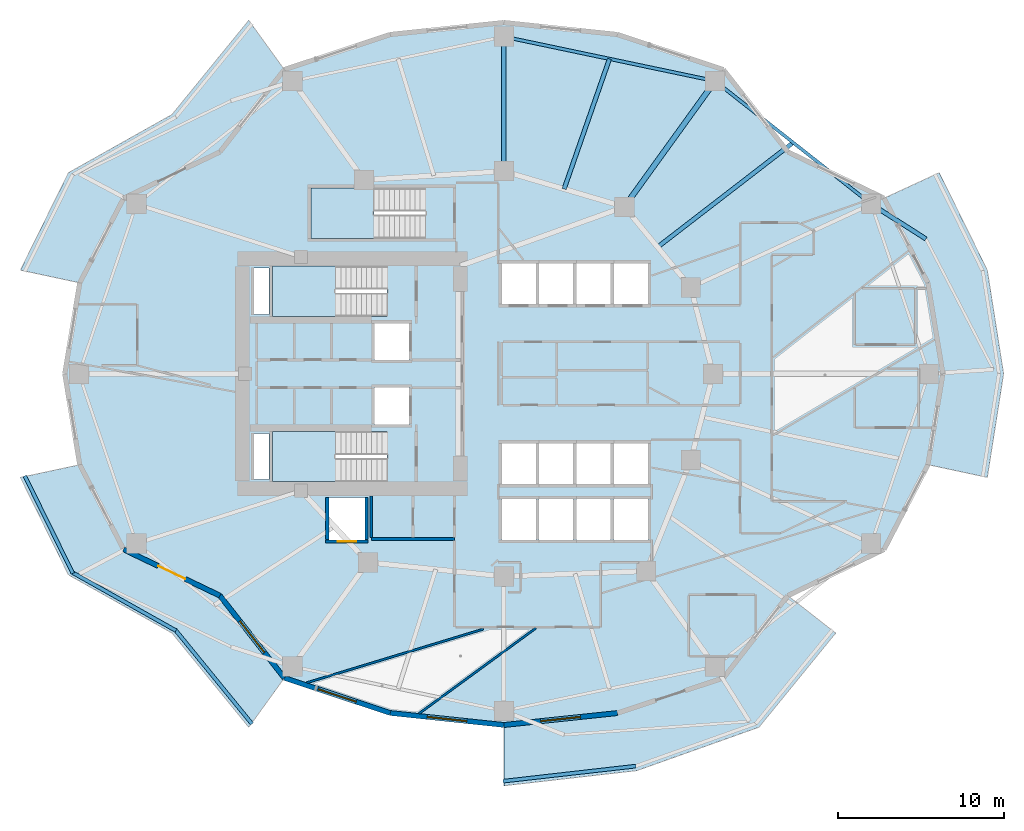
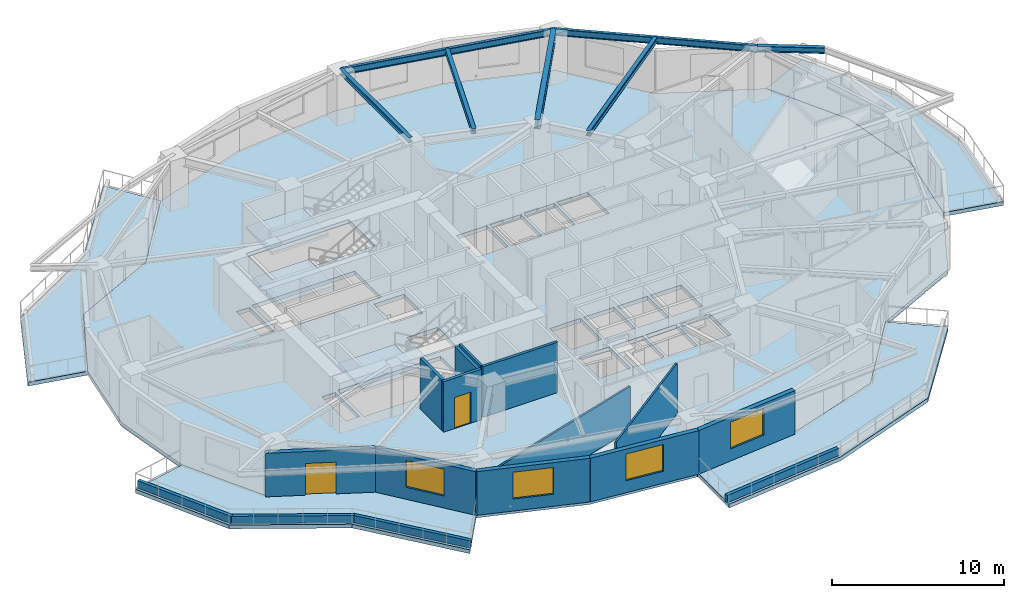
# One storey, part 2 of 15: 16 walls, 8 slabs, 7 beams, 4 windows, 2 doors, 6 openings, 3 elements without a shape of their own.
"""IFC4 building model written with IfcOpenShell, lengths in metres."""

from ifc_helpers import new_model, si_unit, direction, frame, frame_2d, origin, origin_2d, place, context, subcontext, project, spatial, polyline, rectangle, i_section, outline, extrude, material, layer, layer_set, material_profile, profile_set, type_object, element, fill, aggregate, save


model = new_model("IFC4")

# Units and contexts
model_context = context("Model", 3, precision=1e-05, world=origin(), true_north=direction((0.0, 1.0)))
body_context = subcontext(model_context, "Body", "Model", "MODEL_VIEW")
ifc_project = project(units=[si_unit("LENGTHUNIT", "METRE"), si_unit("AREAUNIT", "SQUARE_METRE"), si_unit("VOLUMEUNIT", "CUBIC_METRE"), si_unit("PLANEANGLEUNIT", "RADIAN"), si_unit("MASSUNIT", "GRAM", prefix="KILO")], contexts=[model_context])

# Site, building, storey
site_placement = place(None, origin())
site = spatial("IfcSite", under=ifc_project, at=site_placement, CompositionType="ELEMENT")
building_placement = place(site_placement, origin())
building = spatial("IfcBuilding", under=site, at=building_placement, Name="Kolvaren Gate Tower and Convention Centre", CompositionType="ELEMENT")
storey_placement = place(building_placement, frame((0.0, 0.0, 72.699951171875)))
storey = spatial("IfcBuildingStorey", under=building, at=storey_placement, Name="L17", CompositionType="ELEMENT", Elevation=72.699951171875)

# Beams
ifc_material_1 = material(Name="Structural steel ASTM A992 Grade 345 MPa", Category="steel")
ifc_material_profile_1 = material_profile(ifc_material_1, i_section(OverallWidth=0.260009765625, OverallDepth=0.419921875, WebThickness=0.013427734375, FlangeThickness=0.0224609375, at=origin_2d()), Name="W410X132")
ifc_profile_set_1 = profile_set([ifc_material_profile_1], Name="Structural steel ASTM A992 Grade 345 MPa")
beam_type_1 = type_object("IfcBeamType", Name="STR-BM-W410X132", PredefinedType="BEAM", material=ifc_profile_set_1)
beam_1_placement = place(storey_placement, frame((52.248779296875, 37.218505859375, 3.360595703125), z_axis=(0.843548050681, -0.537053708853, 0.0), x_axis=(0.537053708853, 0.843548050681, 0.0)))
element("IfcBeam", 1, at=beam_1_placement, inside=storey, type_object=beam_type_1, Name="Tower L18 Planted Balcony Outrigger Cantilever BC-4B", PredefinedType="BEAM", context=body_context, shape_type="SweptSolid", body=[
    extrude(i_section(OverallWidth=0.260009765625, OverallDepth=0.419921875, WebThickness=0.013427734375, FlangeThickness=0.0224609375, at=origin_2d()), origin(), (0.0, 0.0, 1.0), 3.89990234375),
])
ifc_material_profile_2 = material_profile(ifc_material_1, i_section(OverallWidth=0.327880859375, OverallDepth=0.6279296875, WebThickness=0.0166015625, FlangeThickness=0.027587890625, at=origin_2d()), Name="W610X217")
ifc_profile_set_2 = profile_set([ifc_material_profile_2], Name="Structural steel ASTM A992 Grade 345 MPa")
beam_type_2 = type_object("IfcBeamType", Name="STR-BM-W610X217", PredefinedType="BEAM", material=ifc_profile_set_2)
beam_2_placement = place(storey_placement, frame((37.381591796875, 37.054931640625, 3.256103515625), z_axis=(0.585207971848, 0.810883240477, 0.0), x_axis=(-0.810883240477, 0.585207971848, 0.0)))
element("IfcBeam", 2, at=beam_2_placement, inside=storey, type_object=beam_type_2, Name="Tower L17 Radial Floor Girder RB-03", PredefinedType="BEAM", context=body_context, shape_type="SweptSolid", body=[
    extrude(i_section(OverallWidth=0.327880859375, OverallDepth=0.6279296875, WebThickness=0.0166015625, FlangeThickness=0.027587890625, at=origin_2d()), origin(), (0.0, 0.0, 1.0), 9.33837890625),
])
ifc_material_profile_3 = material_profile(ifc_material_1, i_section(OverallWidth=0.2548828125, OverallDepth=0.35693359375, WebThickness=0.010498046875, FlangeThickness=0.018310546875, at=origin_2d()), Name="W360X101")
ifc_profile_set_3 = profile_set([ifc_material_profile_3], Name="Structural steel ASTM A992 Grade 345 MPa")
beam_type_3 = type_object("IfcBeamType", Name="STR-JS-W360X101", PredefinedType="JOIST", material=ifc_profile_set_3)
beam_3_placement = place(storey_placement, frame((30.125, 39.199951171875, 3.3916015625), z_axis=(0.0, 1.0, 0.0), x_axis=(-1.0, 0.0, 0.0)))
element("IfcBeam", 3, at=beam_3_placement, inside=storey, type_object=beam_type_3, Name="Tower L17 Radial Floor Girder RB-04", PredefinedType="JOIST", context=body_context, shape_type="SweptSolid", body=[
    extrude(i_section(OverallWidth=0.2548828125, OverallDepth=0.35693359375, WebThickness=0.010498046875, FlangeThickness=0.018310546875, at=origin_2d()), origin(), (0.0, 0.0, 1.0), 8.10009765625),
])
beam_4_placement = place(storey_placement, frame((39.3818359375, 34.627197265625, 3.3916015625), z_axis=(0.791953664744, 0.610581192716, 0.0), x_axis=(-0.610581192716, 0.791953664744, 0.0)))
element("IfcBeam", 4, at=beam_4_placement, inside=storey, type_object=beam_type_3, Name="Tower L17 Secondary Composite Floor Joist J-02.1", PredefinedType="JOIST", context=body_context, shape_type="SweptSolid", body=[
    extrude(i_section(OverallWidth=0.2548828125, OverallDepth=0.35693359375, WebThickness=0.010498046875, FlangeThickness=0.018310546875, at=origin_2d()), origin(), (0.0, 0.0, 1.0), 10.31103515625),
])
beam_5_placement = place(storey_placement, frame((33.75341796875, 38.12744140625, 3.3916015625), z_axis=(0.329233693857, 0.944248470917, 0.0), x_axis=(-0.944248470917, 0.329233693857, 0.0)))
element("IfcBeam", 5, at=beam_5_placement, inside=storey, type_object=beam_type_3, Name="Tower L17 Secondary Composite Floor Joist J-03.1", PredefinedType="JOIST", context=body_context, shape_type="SweptSolid", body=[
    extrude(i_section(OverallWidth=0.2548828125, OverallDepth=0.35693359375, WebThickness=0.010498046875, FlangeThickness=0.018310546875, at=origin_2d()), origin(), (0.0, 0.0, 1.0), 8.298583984375),
])
ifc_material_profile_4 = material_profile(ifc_material_1, i_section(OverallWidth=0.194091796875, OverallDepth=0.468994140625, WebThickness=0.0126953125, FlangeThickness=0.0205078125, at=origin_2d()), Name="W460X106")
ifc_profile_set_4 = profile_set([ifc_material_profile_4], Name="Structural steel ASTM A992 Grade 345 MPa")
beam_type_4 = type_object("IfcBeamType", Name="STR-SP-W460X106", PredefinedType="SPANDREL", material=ifc_profile_set_4)
beam_6_placement = place(storey_placement, frame((52.248779296875, 37.218505859375, 3.33544921875), z_axis=(-0.785459824636, 0.618912646407, 0.0), x_axis=(-0.618912646407, -0.785459824636, 0.0)))
element("IfcBeam", 6, at=beam_6_placement, inside=storey, type_object=beam_type_4, Name="Tower L17 Perimeter Spandrel Beam SP-02", PredefinedType="SPANDREL", context=body_context, shape_type="SweptSolid", body=[
    extrude(i_section(OverallWidth=0.194091796875, OverallDepth=0.468994140625, WebThickness=0.0126953125, FlangeThickness=0.0205078125, at=origin_2d()), origin(), (0.0, 0.0, 1.0), 11.970458984375),
])
beam_7_placement = place(storey_placement, frame((42.846435546875, 44.627197265625, 3.33544921875), z_axis=(-0.978632602148, 0.205616706552, 0.0), x_axis=(-0.205616706552, -0.978632602148, 0.0)))
element("IfcBeam", 7, at=beam_7_placement, inside=storey, type_object=beam_type_4, Name="Tower L17 Perimeter Spandrel Beam SP-03", PredefinedType="SPANDREL", context=body_context, shape_type="SweptSolid", body=[
    extrude(i_section(OverallWidth=0.194091796875, OverallDepth=0.468994140625, WebThickness=0.0126953125, FlangeThickness=0.0205078125, at=origin_2d()), origin(), (0.0, 0.0, 1.0), 12.999267578125),
])

# Slabs
ifc_material_2 = material(Name="Concrete C50/60", Category="concrete")
ifc_layer_1 = layer(ifc_material_2, 0.27001953125)
ifc_layer_set_1 = layer_set([ifc_layer_1], Name="Concrete C50/60")
slab_type_1 = type_object("IfcSlabType", Name="STR-SL-BALC-270", PredefinedType="FLOOR", material=ifc_layer_set_1)
slab_1_placement = place(storey_placement, frame((0.0, 0.0, -0.27001953125)))
element("IfcSlab", 8, at=slab_1_placement, inside=storey, type_object=slab_type_1, Name="Tower L17 Planted Balcony Terrace Slab 1 (West)", PredefinedType="FLOOR", context=body_context, shape_type="SweptSolid", body=[
    extrude(outline(polyline([(16.90625, 45.31640625), (13.026123046875, 40.360107421875), (7.2294921875, 37.574951171875), (4.58837890625, 32.47412109375), (1.009521484375, 33.2412109375), (3.90673828125, 39.109619140625), (10.14208984375, 42.613525390625), (14.764404296875, 48.2841796875), (16.90625, 45.31640625)])), origin(), (0.0, 0.0, 1.0), 0.27001953125),
])
slab_2_placement = place(storey_placement, frame((0.0, 0.0, -0.27001953125)))
element("IfcSlab", 9, at=slab_2_placement, inside=storey, type_object=slab_type_1, Name="Tower L17 Planted Balcony Terrace Slab 2 (West)", PredefinedType="FLOOR", context=body_context, shape_type="SweptSolid", body=[
    extrude(outline(polyline([(4.58837890625, 21.52587890625), (7.2294921875, 16.425048828125), (13.026123046875, 13.639892578125), (16.90625, 8.68359375), (14.764404296875, 5.7158203125), (10.14208984375, 11.386474609375), (3.90673828125, 14.890380859375), (1.009521484375, 20.7587890625), (4.58837890625, 21.52587890625)])), origin(), (0.0, 0.0, 1.0), 0.27001953125),
])
slab_3_placement = place(storey_placement, frame((0.0, 0.0, -0.27001953125)))
element("IfcSlab", 10, at=slab_3_placement, inside=storey, type_object=slab_type_1, Name="Tower L17 Planted Balcony Terrace Slab 3 (South)", PredefinedType="FLOOR", context=body_context, shape_type="SweptSolid", body=[
    extrude(outline(polyline([(30.125, 5.85009765625), (36.967529296875, 6.57080078125), (43.34375, 8.68359375), (47.223876953125, 13.639892578125), (50.10791015625, 11.386474609375), (45.485595703125, 5.7158203125), (38.1298828125, 3.10009765625), (30.125, 2.18994140625), (30.125, 5.85009765625)])), origin(), (0.0, 0.0, 1.0), 0.27001953125),
])
slab_4_placement = place(storey_placement, frame((0.0, 0.0, -0.27001953125)))
element("IfcSlab", 11, at=slab_4_placement, inside=storey, type_object=slab_type_1, Name="Tower L17 Planted Balcony Terrace Slab 4 (East)", PredefinedType="FLOOR", context=body_context, shape_type="SweptSolid", body=[
    extrude(outline(polyline([(55.66162109375, 21.52587890625), (56.5625, 27.0), (55.66162109375, 32.47412109375), (53.0205078125, 37.574951171875), (56.34326171875, 39.109619140625), (59.240478515625, 33.2412109375), (60.222412109375, 27.0), (59.240478515625, 20.7587890625), (55.66162109375, 21.52587890625)])), origin(), (0.0, 0.0, 1.0), 0.27001953125),
])
ifc_layer_2 = layer(ifc_material_2, 0.280029296875)
ifc_layer_set_2 = layer_set([ifc_layer_2], Name="Concrete C50/60")
slab_type_2 = type_object("IfcSlabType", Name="STR-SL-FLR-280", PredefinedType="FLOOR", material=ifc_layer_set_2)
slab_5_placement = place(storey_placement, frame((0.0, 0.0, -0.280029296875)))
element("IfcSlab", 12, at=slab_5_placement, inside=storey, type_object=slab_type_2, Name="Tower L17 Structural Floor Slab", PredefinedType="FLOOR", context=body_context, shape_type="SweptSolid", body=[
    extrude(outline(polyline([(56.5625, 27.0), (55.66162109375, 32.47412109375), (53.0205078125, 37.574951171875), (47.223876953125, 40.360107421875), (43.34375, 45.31640625), (36.967529296875, 47.42919921875), (30.125, 48.14990234375), (23.282470703125, 47.42919921875), (16.90625, 45.31640625), (13.026123046875, 40.360107421875), (7.2294921875, 37.574951171875), (4.58837890625, 32.47412109375), (3.6875, 27.0), (4.58837890625, 21.52587890625), (7.2294921875, 16.425048828125), (13.026123046875, 13.639892578125), (16.90625, 8.68359375), (23.282470703125, 6.57080078125), (30.125, 5.85009765625), (36.967529296875, 6.57080078125), (43.34375, 8.68359375), (47.223876953125, 13.639892578125), (53.0205078125, 16.425048828125), (55.66162109375, 21.52587890625), (56.5625, 27.0)]), holes=[polyline([(36.75, 33.64990234375), (38.800048828125, 33.64990234375), (38.800048828125, 31.199951171875), (36.75, 31.199951171875), (36.75, 33.64990234375)]), polyline([(36.75, 20.35009765625), (36.75, 22.800048828125), (38.800048828125, 22.800048828125), (38.800048828125, 20.35009765625), (36.75, 20.35009765625)]), polyline([(36.75, 17.0), (36.75, 19.449951171875), (38.800048828125, 19.449951171875), (38.800048828125, 17.0), (36.75, 17.0)]), polyline([(34.5, 33.64990234375), (36.550048828125, 33.64990234375), (36.550048828125, 31.199951171875), (34.5, 31.199951171875), (34.5, 33.64990234375)]), polyline([(34.5, 22.800048828125), (36.550048828125, 22.800048828125), (36.550048828125, 20.35009765625), (34.5, 20.35009765625), (34.5, 22.800048828125)]), polyline([(34.5, 17.0), (34.5, 19.449951171875), (36.550048828125, 19.449951171875), (36.550048828125, 17.0), (34.5, 17.0)]), polyline([(32.25, 31.199951171875), (32.25, 33.64990234375), (34.300048828125, 33.64990234375), (34.300048828125, 31.199951171875), (32.25, 31.199951171875)]), polyline([(32.25, 22.800048828125), (34.300048828125, 22.800048828125), (34.300048828125, 20.35009765625), (32.25, 20.35009765625), (32.25, 22.800048828125)]), polyline([(32.25, 17.0), (32.25, 19.449951171875), (34.300048828125, 19.449951171875), (34.300048828125, 17.0), (32.25, 17.0)]), polyline([(30.0, 31.199951171875), (30.0, 33.64990234375), (32.050048828125, 33.64990234375), (32.050048828125, 31.199951171875), (30.0, 31.199951171875)]), polyline([(30.0, 20.35009765625), (30.0, 22.800048828125), (32.050048828125, 22.800048828125), (32.050048828125, 20.35009765625), (30.0, 20.35009765625)]), polyline([(30.0, 17.0), (30.0, 19.449951171875), (32.050048828125, 19.449951171875), (32.050048828125, 17.0), (30.0, 17.0)]), polyline([(25.39990234375, 35.159912109375), (18.5, 35.159912109375), (18.5, 38.199951171875), (25.39990234375, 38.199951171875), (25.39990234375, 35.159912109375)]), polyline([(22.35009765625, 27.840087890625), (22.35009765625, 30.0400390625), (24.39990234375, 30.0400390625), (24.39990234375, 27.840087890625), (22.35009765625, 27.840087890625)]), polyline([(22.35009765625, 23.9599609375), (22.35009765625, 26.159912109375), (24.39990234375, 26.159912109375), (24.39990234375, 23.9599609375), (22.35009765625, 23.9599609375)]), polyline([(23.10009765625, 30.4599609375), (16.199951171875, 30.4599609375), (16.199951171875, 33.5), (23.10009765625, 33.5), (23.10009765625, 30.4599609375)]), polyline([(23.10009765625, 20.5), (16.199951171875, 20.5), (16.199951171875, 23.5400390625), (23.10009765625, 23.5400390625), (23.10009765625, 20.5)]), polyline([(19.60009765625, 17.0), (19.60009765625, 19.550048828125), (21.75, 19.550048828125), (21.75, 17.0), (19.60009765625, 17.0)]), polyline([(15.080078125, 23.419921875), (15.969970703125, 23.419921875), (15.969970703125, 20.6298828125), (15.080078125, 20.6298828125), (15.080078125, 23.419921875)]), polyline([(15.080078125, 30.580078125), (15.080078125, 33.3701171875), (15.969970703125, 33.3701171875), (15.969970703125, 30.580078125), (15.080078125, 30.580078125)])]), origin(), (0.0, 0.0, 1.0), 0.280029296875),
])

# Stair, slab
stair_type = type_object("IfcStairType", Name="STR-STAIR-CORE", PredefinedType="HALF_TURN_STAIR", material=ifc_material_2)
stair_1_placement = place(storey_placement, origin())
stair_1 = element("IfcStair", 13, at=stair_1_placement, inside=storey, type_object=stair_type, Name="L17 Tower North Exit Stair ST-T1", PredefinedType="HALF_TURN_STAIR")
ifc_layer_3 = layer(ifc_material_2, 0.199951171875)
ifc_layer_set_3 = layer_set([ifc_layer_3], Name="Concrete C50/60")
slab_type_3 = type_object("IfcSlabType", Name="STR-SL-LAND-200", PredefinedType="LANDING", material=ifc_layer_set_3)
slab_6_placement = place(storey_placement, frame((0.0, 0.0, 1.72509765625)))
slab_6 = element("IfcSlab", 14, at=slab_6_placement, type_object=slab_type_3, Name="ST-T1 landing 1", PredefinedType="LANDING", context=body_context, shape_type="SweptSolid", body=[
    extrude(outline(polyline([(20.0, 33.5), (16.199951171875, 33.5), (16.199951171875, 30.4599609375), (20.0, 30.4599609375), (20.0, 33.5)])), origin(), (0.0, 0.0, 1.0), 0.199951171875),
])
aggregate(stair_1, [slab_6])

stair_2_placement = place(storey_placement, origin())
stair_2 = element("IfcStair", 15, at=stair_2_placement, inside=storey, type_object=stair_type, Name="L17 Tower South Exit Stair ST-T2", PredefinedType="HALF_TURN_STAIR")
slab_7_placement = place(storey_placement, frame((0.0, 0.0, 1.72509765625)))
slab_7 = element("IfcSlab", 16, at=slab_7_placement, type_object=slab_type_3, Name="ST-T2 landing 1", PredefinedType="LANDING", context=body_context, shape_type="SweptSolid", body=[
    extrude(outline(polyline([(20.0, 23.5400390625), (16.199951171875, 23.5400390625), (16.199951171875, 20.5), (20.0, 20.5), (20.0, 23.5400390625)])), origin(), (0.0, 0.0, 1.0), 0.199951171875),
])
aggregate(stair_2, [slab_7])

stair_3_placement = place(storey_placement, origin())
stair_3 = element("IfcStair", 17, at=stair_3_placement, inside=storey, type_object=stair_type, Name="L17 Tower Mid-Zone Exit Stair ST-T3", PredefinedType="HALF_TURN_STAIR")
slab_8_placement = place(storey_placement, frame((0.0, 0.0, 1.72509765625)))
slab_8 = element("IfcSlab", 18, at=slab_8_placement, type_object=slab_type_3, Name="ST-T3 landing 1", PredefinedType="LANDING", context=body_context, shape_type="SweptSolid", body=[
    extrude(outline(polyline([(22.300048828125, 38.199951171875), (18.5, 38.199951171875), (18.5, 35.159912109375), (22.300048828125, 35.159912109375), (22.300048828125, 38.199951171875)])), origin(), (0.0, 0.0, 1.0), 0.199951171875),
])
aggregate(stair_3, [slab_8])

# Walls
ifc_material_3 = material(Name="Autoclaved Aerated Masonry Blockwork Class 4 (4.0 MPa)", Category="masonry")
ifc_layer_4 = layer(ifc_material_3, 0.179931640625)
ifc_layer_set_4 = layer_set([ifc_layer_4], Name="Autoclaved Aerated Masonry Blockwork Class 4 (4.0 MPa)")
wall_type_1 = type_object("IfcWallType", Name="ARCH-WL-COMP-180", PredefinedType="SOLIDWALL", material=ifc_layer_set_4)
wall_1_placement = place(storey_placement, frame((22.14990234375, 17.050048828125, 0.0), z_axis=(0.0, 0.0, 1.0), x_axis=(1.0, 0.0, 0.0)))
element("IfcWall", 19, at=wall_1_placement, inside=storey, type_object=wall_type_1, Name="Interior Partition WL-L17-INT-011", PredefinedType="SOLIDWALL", context=body_context, shape_type="SweptSolid", body=[
    extrude(rectangle(XDim=5.0, YDim=0.179931640625, at=frame_2d((2.5, 0.0))), origin(), (0.0, 0.0, 1.0), 3.570068359375),
])
ifc_material_4 = material(Name="Fire-Rated Acoustic Gypsum Stud Partition", Category="gypsum")
ifc_layer_5 = layer(ifc_material_4, 0.1201171875)
ifc_layer_set_5 = layer_set([ifc_layer_5], Name="Fire-Rated Acoustic Gypsum Stud Partition")
wall_type_2 = type_object("IfcWallType", Name="ARCH-WL-PART-120", PredefinedType="PARTITIONING", material=ifc_layer_set_5)
wall_2_placement = place(storey_placement, frame((18.256103515625, 8.396484375, 0.0), z_axis=(0.0, 0.0, 1.0), x_axis=(0.9568399174, 0.290615506246, 0.0)))
element("IfcWall", 20, at=wall_2_placement, inside=storey, type_object=wall_type_2, Name="Interior Partition WL-L17-INT-052", PredefinedType="PARTITIONING", context=body_context, shape_type="SweptSolid", body=[
    extrude(rectangle(XDim=11.119384765625, YDim=0.1201171875, at=frame_2d((5.5595703125, 0.0))), origin(), (0.0, 0.0, 1.0), 3.093017578125),
])
wall_3_placement = place(storey_placement, frame((25.020751953125, 6.54052734375, 0.0), z_axis=(0.0, 0.0, 1.0), x_axis=(0.80721771605, 0.590253808878, 0.0)))
element("IfcWall", 21, at=wall_3_placement, inside=storey, type_object=wall_type_2, Name="Interior Partition WL-L17-INT-054", PredefinedType="PARTITIONING", context=body_context, shape_type="SweptSolid", body=[
    extrude(rectangle(XDim=8.720703125, YDim=0.1201171875, at=frame_2d((4.3603515625, 0.0))), origin(), (0.0, 0.0, 1.0), 3.570068359375),
])
ifc_material_5 = material(Name="Piedmont Cream Honed Limestone Cladding", Category="masonry")
ifc_layer_6 = layer(ifc_material_5, 0.219970703125)
ifc_layer_set_6 = layer_set([ifc_layer_6], Name="Piedmont Cream Honed Limestone Cladding")
wall_type_3 = type_object("IfcWallType", Name="ARCH-WL-PLANTER-220", PredefinedType="PARAPET", material=ifc_layer_set_6)
wall_4_placement = place(storey_placement, frame((1.275390625, 20.846923828125, 0.0), z_axis=(0.0, 0.0, 1.0), x_axis=(0.442686636348, -0.89667638644, 0.0)))
element("IfcWall", 22, at=wall_4_placement, inside=storey, type_object=wall_type_3, Name="Vertical-Forest Balcony Stone Planter Kerb PK-L17-2.1", PredefinedType="PARAPET", context=body_context, shape_type="SweptSolid", body=[
    extrude(rectangle(XDim=6.544677734375, YDim=0.219970703125, at=frame_2d((3.2724609375, 0.0))), origin(), (0.0, 0.0, 1.0), 0.52001953125),
])
wall_5_placement = place(storey_placement, frame((4.14697265625, 15.034423828125, 0.0), z_axis=(0.0, 0.0, 1.0), x_axis=(0.871775109335, -0.489906275468, 0.0)))
element("IfcWall", 23, at=wall_5_placement, inside=storey, type_object=wall_type_3, Name="Vertical-Forest Balcony Stone Planter Kerb PK-L17-2.2", PredefinedType="PARAPET", context=body_context, shape_type="SweptSolid", body=[
    extrude(rectangle(XDim=7.152099609375, YDim=0.219970703125, at=frame_2d((3.576171875, 0.0))), origin(), (0.0, 0.0, 1.0), 0.52001953125),
])
wall_6_placement = place(storey_placement, frame((10.335693359375, 11.588623046875, 0.0), z_axis=(0.0, 0.0, 1.0), x_axis=(0.631819273026, -0.775115737315, 0.0)))
element("IfcWall", 24, at=wall_6_placement, inside=storey, type_object=wall_type_3, Name="Vertical-Forest Balcony Stone Planter Kerb PK-L17-2.3", PredefinedType="PARAPET", context=body_context, shape_type="SweptSolid", body=[
    extrude(rectangle(XDim=7.31591796875, YDim=0.219970703125, at=frame_2d((3.657958984375, 0.0))), origin(), (0.0, 0.0, 1.0), 0.52001953125),
])
wall_7_placement = place(storey_placement, frame((30.07958984375, 2.46630859375, 0.0), z_axis=(0.0, 0.0, 1.0), x_axis=(0.993598144351, 0.112972242349, 0.0)))
element("IfcWall", 25, at=wall_7_placement, inside=storey, type_object=wall_type_3, Name="Vertical-Forest Balcony Stone Planter Kerb PK-L17-3.1", PredefinedType="PARAPET", context=body_context, shape_type="SweptSolid", body=[
    extrude(rectangle(XDim=8.056396484375, YDim=0.219970703125, at=frame_2d((4.0283203125, 0.0))), origin(), (0.0, 0.0, 1.0), 0.52001953125),
])

# Wall, opening, door
ifc_layer_7 = layer(ifc_material_3, 0.199951171875)
ifc_layer_set_7 = layer_set([ifc_layer_7], Name="Autoclaved Aerated Masonry Blockwork Class 4 (4.0 MPa)")
wall_type_4 = type_object("IfcWallType", Name="ARCH-WL-SHAFT-200", PredefinedType="SOLIDWALL", material=ifc_layer_set_7)
wall_8_placement = place(storey_placement, frame((19.39990234375, 16.89990234375, 0.0), z_axis=(0.0, 0.0, 1.0), x_axis=(1.0, 0.0, 0.0)))
wall_8 = element("IfcWall", 26, at=wall_8_placement, inside=storey, type_object=wall_type_4, Name="Elevator SV-01 L17 Fire Shaft Wall S", PredefinedType="SOLIDWALL", context=body_context, shape_type="SweptSolid", body=[
    extrude(rectangle(XDim=2.550048828125, YDim=0.199951171875, at=frame_2d((1.27490234375, 0.0))), origin(), (0.0, 0.0, 1.0), 3.570068359375),
])
opening_1_placement = place(wall_8_placement, frame((0.72509765625, 0.0, 0.0)))
opening_1 = element("IfcOpeningElement", 27, at=opening_1_placement, cuts=wall_8, Name="Opening LD", PredefinedType="OPENING", context=body_context, shape_type="SweptSolid", body=[
    extrude(rectangle(XDim=1.10009765625, YDim=2.199951171875, at=frame_2d((0.550048828125, 1.10009765625))), frame((0.0, 0.10986328125, 0.0), z_axis=(0.0, -1.0, 0.0), x_axis=(1.0, 0.0, 0.0)), (0.0, 0.0, 1.0), 0.219970703125),
])
ifc_material_6 = material(Name="Brushed Stainless Steel Grade 316L", Category="steel")
door_type_1 = type_object("IfcDoorType", Name="ARCH-DR-LIFT-1100", OperationType="SLIDING_TO_LEFT", PredefinedType="DOOR", material=ifc_material_6)
door_1_placement = place(opening_1_placement, origin())
door_1 = element("IfcDoor", 28, at=door_1_placement, inside=storey, type_object=door_type_1, Name="Elevator SV-01 L17 Sliding Landing Door", OperationType="SLIDING_TO_LEFT", OverallHeight=2.199951171875, OverallWidth=1.10009765625, PredefinedType="DOOR", context=body_context, shape_type="SweptSolid", body=[
    extrude(rectangle(XDim=1.10009765625, YDim=2.199951171875, at=frame_2d((0.550048828125, 1.10009765625))), frame((0.0, 0.02490234375, 0.0), z_axis=(0.0, -1.0, 0.0), x_axis=(1.0, 0.0, 0.0)), (0.0, 0.0, 1.0), 0.050048828125),
])
fill(opening_1, door_1)

# Walls
for number, where, z_axis, x_axis, name in (
    (29, (19.5, 17.010009765625, 0.0), (0.0, 0.0, 1.0), (0.0, 1.0, 0.0), "Elevator SV-01 L17 Fire Shaft Wall W"),
    (30, (21.85009765625, 17.010009765625, 0.0), (0.0, 0.0, 1.0), (0.0, 1.0, 0.0), "Elevator SV-01 L17 Fire Shaft Wall E"),
):
    element("IfcWall", number, at=place(storey_placement, frame(where, z_axis=z_axis, x_axis=x_axis)), inside=storey, type_object=wall_type_4, Name=name, PredefinedType="SOLIDWALL", context=body_context, shape_type="SweptSolid", body=[
        extrude(rectangle(XDim=2.530029296875, YDim=0.199951171875, at=frame_2d((1.26513671875, 0.0))), origin(), (0.0, 0.0, 1.0), 3.570068359375),
    ])

# Wall, opening, door
ifc_layer_8 = layer(ifc_material_5, 0.300048828125)
ifc_layer_set_8 = layer_set([ifc_layer_8], Name="Piedmont Cream Honed Limestone Cladding")
wall_type_5 = type_object("IfcWallType", Name="ARCH-WL-STONE-300", PredefinedType="SOLIDWALL", material=ifc_layer_set_8)
wall_9_placement = place(storey_placement, frame((7.2294921875, 16.425048828125, 0.0), z_axis=(0.0, 0.0, 1.0), x_axis=(0.901354747727, -0.433081538224, 0.0)))
wall_9 = element("IfcWall", 31, at=wall_9_placement, inside=storey, type_object=wall_type_5, Name="Tower L17 Honed Stone Spandrel Wall EW-14", PredefinedType="SOLIDWALL", context=body_context, shape_type="SweptSolid", body=[
    extrude(rectangle(XDim=6.430908203125, YDim=0.300048828125, at=frame_2d((3.21533203125, 0.0))), origin(), (0.0, 0.0, 1.0), 3.093017578125),
])
opening_2_placement = place(wall_9_placement, frame((2.31494140625, 0.0, 0.0)))
opening_2 = element("IfcOpeningElement", 32, at=opening_2_placement, cuts=wall_9, Name="Opening DB-01", PredefinedType="OPENING", context=body_context, shape_type="SweptSolid", body=[
    extrude(rectangle(XDim=1.800048828125, YDim=2.25, at=frame_2d((0.89990234375, 1.125))), frame((0.0, 0.159912109375, 0.0), z_axis=(0.0, -1.0, 0.0), x_axis=(1.0, 0.0, 0.0)), (0.0, 0.0, 1.0), 0.320068359375),
])
ifc_material_7 = material(Name="Anodized Architectural Aluminium Alloy 6063-T6", Category="aluminium")
door_type_2 = type_object("IfcDoorType", Name="ARCH-DR-BALC-1800", OperationType="SLIDING_TO_LEFT", PredefinedType="DOOR", material=ifc_material_7)
door_2_placement = place(opening_2_placement, frame((1.800048828125, 0.0, 0.0), z_axis=(0.0, 0.0, 1.0), x_axis=(-1.0, 0.0, 0.0)))
door_2 = element("IfcDoor", 33, at=door_2_placement, inside=storey, type_object=door_type_2, Name="Planted Sky Terrace Access Door DB-L17-14", OperationType="SLIDING_TO_LEFT", OverallHeight=2.25, OverallWidth=1.800048828125, PredefinedType="DOOR", context=body_context, shape_type="SweptSolid", body=[
    extrude(rectangle(XDim=1.800048828125, YDim=2.25, at=frame_2d((0.89990234375, 1.125))), frame((0.0, 0.02490234375, 0.0), z_axis=(0.0, -1.0, 0.0), x_axis=(1.0, 0.0, 0.0)), (0.0, 0.0, 1.0), 0.050048828125),
])
fill(opening_2, door_2)

# Wall, opening, window
wall_10_placement = place(storey_placement, frame((13.026123046875, 13.639892578125, 0.0), z_axis=(0.0, 0.0, 1.0), x_axis=(0.616434798832, -0.78740595552, 0.0)))
wall_10 = element("IfcWall", 34, at=wall_10_placement, inside=storey, type_object=wall_type_5, Name="Tower L17 Honed Stone Spandrel Wall EW-15", PredefinedType="SOLIDWALL", context=body_context, shape_type="SweptSolid", body=[
    extrude(rectangle(XDim=6.29443359375, YDim=0.300048828125, at=frame_2d((3.147216796875, 0.0))), origin(), (0.0, 0.0, 1.0), 3.093017578125),
])
opening_3_placement = place(wall_10_placement, frame((1.947021484375, 0.0, 0.85009765625)))
opening_3 = element("IfcOpeningElement", 35, at=opening_3_placement, cuts=wall_10, Name="Opening W-01", PredefinedType="OPENING", context=body_context, shape_type="SweptSolid", body=[
    extrude(rectangle(XDim=2.39990234375, YDim=1.89990234375, at=frame_2d((1.199951171875, 0.949951171875))), frame((0.0, 0.159912109375, 0.0), z_axis=(0.0, -1.0, 0.0), x_axis=(1.0, 0.0, 0.0)), (0.0, 0.0, 1.0), 0.320068359375),
])
ifc_material_8 = material(Name="Low-E Triple Insulated Glazing Unit 44 mm", Category="glass")
window_type = type_object("IfcWindowType", Name="ARCH-WN-OFF-2400", PartitioningType="SINGLE_PANEL", PredefinedType="WINDOW", material=ifc_material_8)
window_1_placement = place(opening_3_placement, origin())
window_1 = element("IfcWindow", 36, at=window_1_placement, inside=storey, type_object=window_type, Name="Tower L17 Punched Stone Facade Window W-15", OverallHeight=1.89990234375, OverallWidth=2.39990234375, PartitioningType="SINGLE_PANEL", PredefinedType="WINDOW", context=body_context, shape_type="SweptSolid", body=[
    extrude(rectangle(XDim=2.39990234375, YDim=1.89990234375, at=frame_2d((1.199951171875, 0.949951171875))), frame((0.0, 0.030029296875, 0.0), z_axis=(0.0, -1.0, 0.0), x_axis=(1.0, 0.0, 0.0)), (0.0, 0.0, 1.0), 0.06005859375),
])
fill(opening_3, window_1)

wall_11_placement = place(storey_placement, frame((16.90625, 8.68359375, 0.0), z_axis=(0.0, 0.0, 1.0), x_axis=(0.949245153629, -0.314537181127, 0.0)))
wall_11 = element("IfcWall", 37, at=wall_11_placement, inside=storey, type_object=wall_type_5, Name="Tower L17 Honed Stone Spandrel Wall EW-16", PredefinedType="SOLIDWALL", context=body_context, shape_type="SweptSolid", body=[
    extrude(rectangle(XDim=6.717041015625, YDim=0.300048828125, at=frame_2d((3.3583984375, 0.0))), origin(), (0.0, 0.0, 1.0), 3.093017578125),
])
opening_4_placement = place(wall_11_placement, frame((2.158935546875, 0.0, 0.85009765625)))
opening_4 = element("IfcOpeningElement", 38, at=opening_4_placement, cuts=wall_11, Name="Opening W-01", PredefinedType="OPENING", context=body_context, shape_type="SweptSolid", body=[
    extrude(rectangle(XDim=2.39990234375, YDim=1.89990234375, at=frame_2d((1.199951171875, 0.949951171875))), frame((0.0, 0.159912109375, 0.0), z_axis=(0.0, -1.0, 0.0), x_axis=(1.0, 0.0, 0.0)), (0.0, 0.0, 1.0), 0.320068359375),
])
window_2_placement = place(opening_4_placement, origin())
window_2 = element("IfcWindow", 39, at=window_2_placement, inside=storey, type_object=window_type, Name="Tower L17 Punched Stone Facade Window W-16", OverallHeight=1.89990234375, OverallWidth=2.39990234375, PartitioningType="SINGLE_PANEL", PredefinedType="WINDOW", context=body_context, shape_type="SweptSolid", body=[
    extrude(rectangle(XDim=2.39990234375, YDim=1.89990234375, at=frame_2d((1.199951171875, 0.949951171875))), frame((0.0, 0.030029296875, 0.0), z_axis=(0.0, -1.0, 0.0), x_axis=(1.0, 0.0, 0.0)), (0.0, 0.0, 1.0), 0.06005859375),
])
fill(opening_4, window_2)

wall_12_placement = place(storey_placement, frame((23.282470703125, 6.57080078125, 0.0), z_axis=(0.0, 0.0, 1.0), x_axis=(0.994498840295, -0.104747585419, 0.0)))
wall_12 = element("IfcWall", 40, at=wall_12_placement, inside=storey, type_object=wall_type_5, Name="Tower L17 Honed Stone Spandrel Wall EW-17", PredefinedType="SOLIDWALL", context=body_context, shape_type="SweptSolid", body=[
    extrude(rectangle(XDim=6.88037109375, YDim=0.300048828125, at=frame_2d((3.440185546875, 0.0))), origin(), (0.0, 0.0, 1.0), 3.093017578125),
])
opening_5_placement = place(wall_12_placement, frame((2.239990234375, 0.0, 0.85009765625)))
opening_5 = element("IfcOpeningElement", 41, at=opening_5_placement, cuts=wall_12, Name="Opening W-01", PredefinedType="OPENING", context=body_context, shape_type="SweptSolid", body=[
    extrude(rectangle(XDim=2.39990234375, YDim=1.89990234375, at=frame_2d((1.199951171875, 0.949951171875))), frame((0.0, 0.159912109375, 0.0), z_axis=(0.0, -1.0, 0.0), x_axis=(1.0, 0.0, 0.0)), (0.0, 0.0, 1.0), 0.320068359375),
])
window_3_placement = place(opening_5_placement, origin())
window_3 = element("IfcWindow", 42, at=window_3_placement, inside=storey, type_object=window_type, Name="Tower L17 Punched Stone Facade Window W-17", OverallHeight=1.89990234375, OverallWidth=2.39990234375, PartitioningType="SINGLE_PANEL", PredefinedType="WINDOW", context=body_context, shape_type="SweptSolid", body=[
    extrude(rectangle(XDim=2.39990234375, YDim=1.89990234375, at=frame_2d((1.199951171875, 0.949951171875))), frame((0.0, 0.030029296875, 0.0), z_axis=(0.0, -1.0, 0.0), x_axis=(1.0, 0.0, 0.0)), (0.0, 0.0, 1.0), 0.06005859375),
])
fill(opening_5, window_3)

wall_13_placement = place(storey_placement, frame((30.125, 5.85009765625, 0.0), z_axis=(0.0, 0.0, 1.0), x_axis=(0.994498840295, 0.104747585419, 0.0)))
wall_13 = element("IfcWall", 43, at=wall_13_placement, inside=storey, type_object=wall_type_5, Name="Tower L17 Honed Stone Spandrel Wall EW-18", PredefinedType="SOLIDWALL", context=body_context, shape_type="SweptSolid", body=[
    extrude(rectangle(XDim=6.88037109375, YDim=0.300048828125, at=frame_2d((3.440185546875, 0.0))), origin(), (0.0, 0.0, 1.0), 3.093017578125),
])
opening_6_placement = place(wall_13_placement, frame((2.239990234375, 0.0, 0.85009765625)))
opening_6 = element("IfcOpeningElement", 44, at=opening_6_placement, cuts=wall_13, Name="Opening W-01", PredefinedType="OPENING", context=body_context, shape_type="SweptSolid", body=[
    extrude(rectangle(XDim=2.39990234375, YDim=1.89990234375, at=frame_2d((1.199951171875, 0.949951171875))), frame((0.0, 0.159912109375, 0.0), z_axis=(0.0, -1.0, 0.0), x_axis=(1.0, 0.0, 0.0)), (0.0, 0.0, 1.0), 0.320068359375),
])
window_4_placement = place(opening_6_placement, origin())
window_4 = element("IfcWindow", 45, at=window_4_placement, inside=storey, type_object=window_type, Name="Tower L17 Punched Stone Facade Window W-18", OverallHeight=1.89990234375, OverallWidth=2.39990234375, PartitioningType="SINGLE_PANEL", PredefinedType="WINDOW", context=body_context, shape_type="SweptSolid", body=[
    extrude(rectangle(XDim=2.39990234375, YDim=1.89990234375, at=frame_2d((1.199951171875, 0.949951171875))), frame((0.0, 0.030029296875, 0.0), z_axis=(0.0, -1.0, 0.0), x_axis=(1.0, 0.0, 0.0)), (0.0, 0.0, 1.0), 0.06005859375),
])
fill(opening_6, window_4)

# Wall
ifc_material_9 = material(Name="Moisture-Resistant Cement-Board Acoustic Partition", Category="gypsum")
ifc_layer_9 = layer(ifc_material_9, 0.14990234375)
ifc_layer_set_9 = layer_set([ifc_layer_9], Name="Moisture-Resistant Cement-Board Acoustic Partition")
wall_type_6 = type_object("IfcWallType", Name="ARCH-WL-WET-150", PredefinedType="PARTITIONING", material=ifc_layer_set_9)
wall_14_placement = place(storey_placement, frame((22.14990234375, 17.14208984375, 0.0), z_axis=(0.0, 0.0, 1.0), x_axis=(0.0, 1.0, 0.0)))
element("IfcWall", 46, at=wall_14_placement, inside=storey, type_object=wall_type_6, Name="Interior Partition WL-L17-INT-012", PredefinedType="PARTITIONING", context=body_context, shape_type="SweptSolid", body=[
    extrude(rectangle(XDim=2.505859375, YDim=0.14990234375, at=frame_2d((1.2529296875, 0.0))), origin(), (0.0, 0.0, 1.0), 3.570068359375),
])

save(model, "model.ifc")
